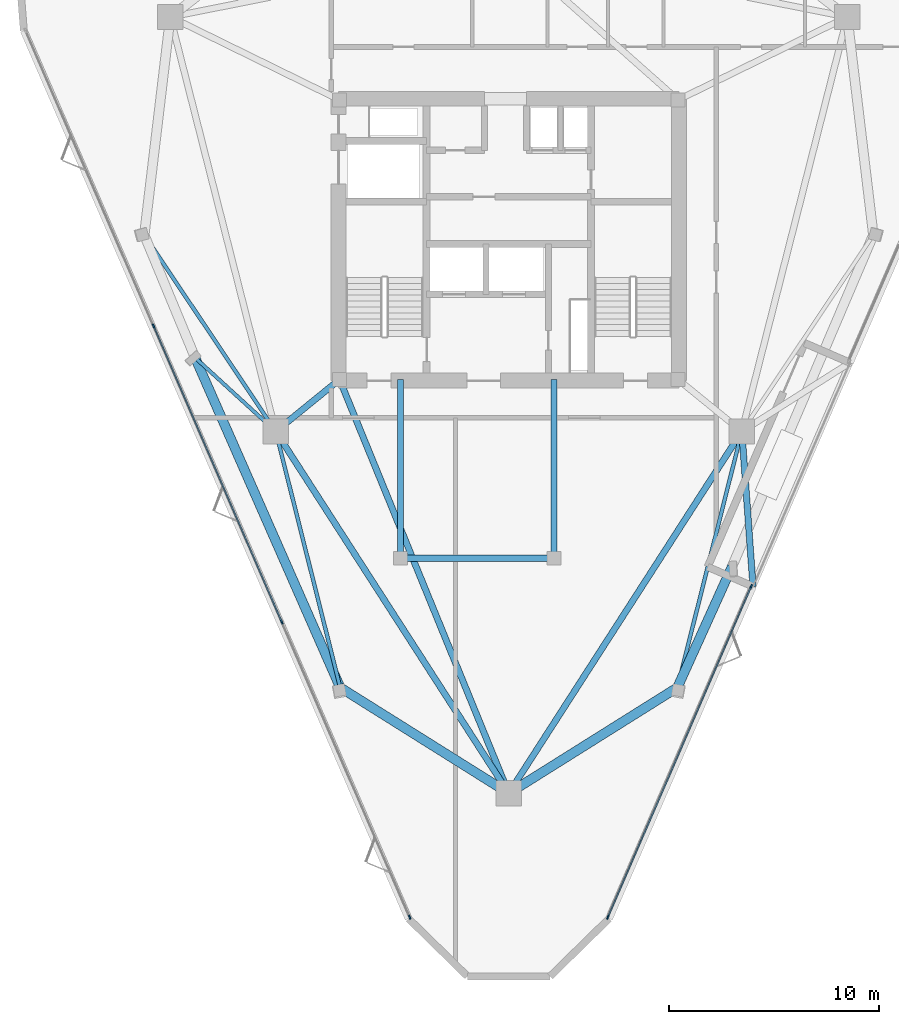
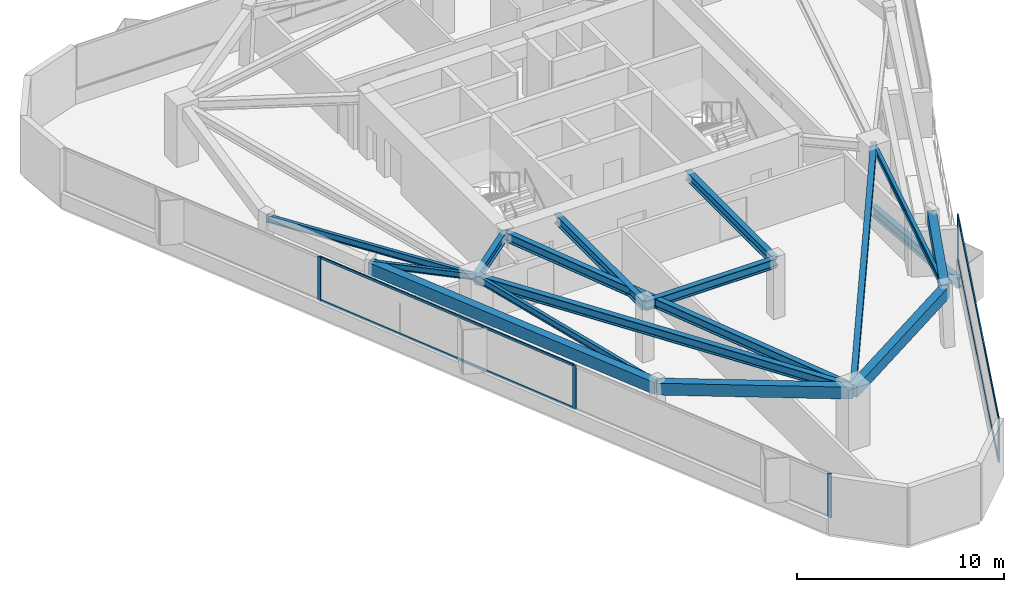
# One storey, part 2 of 10: 16 beams, 9 members, 2 elements without a shape of their own.
"""IFC4 building model written with IfcOpenShell, lengths in metres."""

import ifcopenshell
import ifcopenshell.guid

model = None  # the IFC model being written
_history = None  # IfcOwnerHistory: only IFC2X3 demands one
_inside = {}  # id of a spatial element -> (the spatial element, [elements in it])
_under = {}  # id of a project, library or spatial element -> (it, [spatial elements below it])
_declared = {}  # id of a project -> (the project, [libraries it declares])
_typed = {}  # id of a type object -> (the type object, [elements of that type])
_made_of = {}  # id of a material, layer set ... -> (it, [elements and type objects made of it])


def new_model(schema):
    """Start an empty IFC model of exactly this schema.

    Asked for "IFC4X3", IfcOpenShell would pick the latest addendum, in which some entities
    have other attributes; the version numbers below select the first issue.
    IFC2X3 requires an IfcOwnerHistory on every rooted entity: one is made here for all.
    """
    global model, _history
    if schema == "IFC4X3":
        model = ifcopenshell.file(schema_version=(4, 3, 0, 0))
    else:
        model = ifcopenshell.file(schema=schema)
    _inside.clear()
    _under.clear()
    _declared.clear()
    _typed.clear()
    _made_of.clear()
    _history = None
    if model.schema == "IFC2X3":
        org = make("IfcOrganization", Name="unknown")
        user = make(
            "IfcPersonAndOrganization",
            ThePerson=make("IfcPerson", FamilyName="unknown"),
            TheOrganization=org,
        )
        app = make(
            "IfcApplication",
            ApplicationDeveloper=org,
            Version="unknown",
            ApplicationFullName="unknown",
            ApplicationIdentifier="unknown",
        )
        _history = make(
            "IfcOwnerHistory",
            OwningUser=user,
            OwningApplication=app,
            ChangeAction="ADDED",
            CreationDate=0,
        )
    return model


def make(cls, **values):
    """One entity of the class cls with the attributes given. An attribute that is None is left unset."""
    return model.create_entity(
        cls, **{name: value for name, value in values.items() if value is not None}
    )


def rooted(cls, **values):
    """An entity with a GlobalId (a new one), such as an element, a storey or a relation."""
    return make(cls, GlobalId=ifcopenshell.guid.new(), OwnerHistory=_history, **values)


def si_unit(unit_type, name, prefix=None):
    """IfcSIUnit, for example si_unit("LENGTHUNIT", "METRE", prefix="MILLI")."""
    return make("IfcSIUnit", UnitType=unit_type, Prefix=prefix, Name=name)


def assignment(units):
    """IfcUnitAssignment: the units of a project."""
    return None if units is None else make("IfcUnitAssignment", Units=units)


def point(xyz):
    """IfcCartesianPoint."""
    return None if xyz is None else make("IfcCartesianPoint", Coordinates=xyz)


def direction(xyz):
    """IfcDirection."""
    return None if xyz is None else make("IfcDirection", DirectionRatios=xyz)


def frame(location, z_axis=None, x_axis=None):
    """IfcAxis2Placement3D, a coordinate frame: its origin and axes. An axis left out is left unset."""
    return make(
        "IfcAxis2Placement3D",
        Location=point(location),
        Axis=direction(z_axis),
        RefDirection=direction(x_axis),
    )


def frame_2d(location, x_axis=None):
    """IfcAxis2Placement2D, a coordinate frame in the plane: its origin and x axis."""
    return make(
        "IfcAxis2Placement2D", Location=point(location), RefDirection=direction(x_axis)
    )


def origin():
    """The frame at (0, 0, 0) with its axes left unset."""
    return frame((0.0, 0.0, 0.0))


def origin_2d():
    """The frame at (0, 0) in the plane with its x axis left unset."""
    return frame_2d((0.0, 0.0))


def place(relative_to, where):
    """IfcLocalPlacement: puts the frame where relative to a parent placement (None: the world)."""
    return make(
        "IfcLocalPlacement", PlacementRelTo=relative_to, RelativePlacement=where
    )


def context(
    kind, dimensions, precision=None, world=None, true_north=None, identifier=None
):
    """IfcGeometricRepresentationContext, for example the 3D "Model" context."""
    return make(
        "IfcGeometricRepresentationContext",
        ContextIdentifier=identifier,
        ContextType=kind,
        CoordinateSpaceDimension=dimensions,
        Precision=precision,
        WorldCoordinateSystem=world,
        TrueNorth=true_north,
    )


def subcontext(parent, identifier, kind, view, scale=None):
    """IfcGeometricRepresentationSubContext, for example "Body" below "Model"."""
    return make(
        "IfcGeometricRepresentationSubContext",
        ContextIdentifier=identifier,
        ContextType=kind,
        ParentContext=parent,
        TargetScale=scale,
        TargetView=view,
    )


def project(units=None, contexts=None):
    """IfcProject with its units and contexts."""
    return rooted(
        "IfcProject",
        Name="project",
        RepresentationContexts=contexts,
        UnitsInContext=assignment(units),
    )


def spatial(cls, under=None, at=None, **own):
    """A site, building, storey or space (cls), placed at a placement, below another one or the project."""
    s = rooted(cls, ObjectPlacement=at, **own)
    if under is not None:
        _under.setdefault(under.id(), (under, []))[1].append(s)
    return s


def profile(cls, at=None, kind="AREA", **sizes):
    """A parametric profile (cls). Its sizes go by their IFC names, for example OverallWidth=200.0."""
    return make(cls, ProfileType=kind, Position=at, **sizes)


def rectangle(**sizes):
    """IfcRectangleProfileDef."""
    return profile("IfcRectangleProfileDef", **sizes)


def i_section(**sizes):
    """IfcIShapeProfileDef."""
    return profile("IfcIShapeProfileDef", **sizes)


def extrude(swept, where, along, depth):
    """IfcExtrudedAreaSolid: the profile swept, set in the frame where, extruded along a direction by depth."""
    return make(
        "IfcExtrudedAreaSolid",
        SweptArea=swept,
        Position=where,
        ExtrudedDirection=direction(along),
        Depth=depth,
    )


def shape(context_of_items, identifier, shape_type, items):
    """IfcShapeRepresentation: the items that make up one representation, for example the "Body"."""
    return make(
        "IfcShapeRepresentation",
        ContextOfItems=context_of_items,
        RepresentationIdentifier=identifier,
        RepresentationType=shape_type,
        Items=items,
    )


def material(Name=None, Category=None):
    """IfcMaterial."""
    return make("IfcMaterial", Name=Name, Category=Category)


def layer(
    of_material, thickness, ventilated=None, Name=None, Category=None, Priority=None
):
    """IfcMaterialLayer: one layer of a wall or slab, of a material (None: an air gap)."""
    return make(
        "IfcMaterialLayer",
        Material=of_material,
        LayerThickness=thickness,
        IsVentilated=ventilated,
        Name=Name,
        Category=Category,
        Priority=Priority,
    )


def layer_set(layers, Name=None):
    """IfcMaterialLayerSet."""
    return make("IfcMaterialLayerSet", MaterialLayers=layers, LayerSetName=Name)


def material_profile(
    of_material, cross_section, Name=None, Category=None, Priority=None
):
    """IfcMaterialProfile: a cross section and its material."""
    return make(
        "IfcMaterialProfile",
        Name=Name,
        Material=of_material,
        Profile=cross_section,
        Priority=Priority,
        Category=Category,
    )


def profile_set(profiles, Name=None, composite=None):
    """IfcMaterialProfileSet."""
    return make(
        "IfcMaterialProfileSet",
        Name=Name,
        MaterialProfiles=profiles,
        CompositeProfile=composite,
    )


def made_of(thing, what):
    """Note that an element or type object is made of a material, layer set ...; save() writes the relation."""
    if what is not None:
        _made_of.setdefault(what.id(), (what, []))[1].append(thing)
    return thing


def type_object(cls, material=None, **own):
    """A type object (cls), such as IfcWallType, which elements share."""
    return made_of(rooted(cls, **own), material)


def element(
    cls,
    number,
    at=None,
    inside=None,
    cuts=None,
    type_object=None,
    material=None,
    context=None,
    identifier="Body",
    shape_type=None,
    held_by="IfcProductDefinitionShape",
    body=None,
    shapes=None,
    **own,
):
    """One element of the class cls, such as IfcWall. Its Tag is "e" and its number.

    at: its placement. inside: the storey or other place that contains it. cuts: it is an
    opening in that element (IfcRelVoidsElement). A single representation is given by context,
    identifier, shape_type and body (its items); several are given by shapes. held_by: the class
    of the entity that holds the representations. save() writes the other relations.
    """
    e = rooted(cls, Tag="e%d" % number, ObjectPlacement=at, **own)
    if body is not None:
        shapes = [shape(context, identifier, shape_type, body)]
    if shapes is not None:
        e.Representation = make(held_by, Representations=shapes)
    if inside is not None:
        _inside.setdefault(inside.id(), (inside, []))[1].append(e)
    if cuts is not None:
        rooted(
            "IfcRelVoidsElement", RelatingBuildingElement=cuts, RelatedOpeningElement=e
        )
    if type_object is not None:
        _typed.setdefault(type_object.id(), (type_object, []))[1].append(e)
    return made_of(e, material)


def aggregate(whole, parts):
    """IfcRelAggregates: a whole, such as a stair, and the parts it consists of."""
    return rooted("IfcRelAggregates", RelatingObject=whole, RelatedObjects=parts)


def save(model, path):
    """Write the relations noted so far, then the file.

    IfcRelAggregates (storeys below a building ...), IfcRelContainedInSpatialStructure (elements
    in a storey), IfcRelDefinesByType, IfcRelAssociatesMaterial and IfcRelDeclares: one each for
    every whole, place, type object, material and project.
    """
    for whole, parts in _under.values():
        aggregate(whole, parts)
    for where, things in _inside.values():
        rooted(
            "IfcRelContainedInSpatialStructure",
            RelatedElements=things,
            RelatingStructure=where,
        )
    for kind, things in _typed.values():
        rooted("IfcRelDefinesByType", RelatedObjects=things, RelatingType=kind)
    for what, things in _made_of.values():
        rooted("IfcRelAssociatesMaterial", RelatedObjects=things, RelatingMaterial=what)
    for by, libraries in _declared.values():
        rooted("IfcRelDeclares", RelatingContext=by, RelatedDefinitions=libraries)
    model.write(path)


model = new_model("IFC4")

# Units and contexts
model_context = context("Model", 3, precision=1e-05, world=origin(), true_north=direction((0.0, 1.0)))
body_context = subcontext(model_context, "Body", "Model", "MODEL_VIEW")
ifc_project = project(units=[si_unit("LENGTHUNIT", "METRE"), si_unit("AREAUNIT", "SQUARE_METRE"), si_unit("VOLUMEUNIT", "CUBIC_METRE"), si_unit("PLANEANGLEUNIT", "RADIAN"), si_unit("MASSUNIT", "GRAM", prefix="KILO")], contexts=[model_context])

# Site, building, storey
site_placement = place(None, origin())
site = spatial("IfcSite", under=ifc_project, at=site_placement, CompositionType="ELEMENT")
building_placement = place(site_placement, origin())
building = spatial("IfcBuilding", under=site, at=building_placement, Name="Talyreon Biosciences Tower", CompositionType="ELEMENT")
storey_placement = place(building_placement, frame((0.0, 0.0, 253.5)))
storey = spatial("IfcBuildingStorey", under=building, at=storey_placement, Name="L67", CompositionType="ELEMENT", Elevation=253.5)

# Curtain wall, members
ifc_material_1 = material(Name="Thermally broken aluminium and low-E glazing", Category="aluminium")
ifc_layer = layer(ifc_material_1, 0.205078125)
ifc_layer_set = layer_set([ifc_layer], Name="Thermally broken aluminium and low-E glazing")
curtain_wall_type = type_object("IfcCurtainWallType", Name="CurtainWall_SkyGardenLoggia", PredefinedType="NOTDEFINED", material=ifc_layer_set)
curtain_wall_1_placement = place(storey_placement, origin())
curtain_wall_1 = element("IfcCurtainWall", 1, at=curtain_wall_1_placement, inside=storey, type_object=curtain_wall_type, Name="L67 Unitised Curtain Wall FCW-L67-11", PredefinedType="NOTDEFINED")
ifc_material_2 = material(Name="Anodised thermally broken aluminium", Category="aluminium")
ifc_material_profile_1 = material_profile(ifc_material_2, rectangle(XDim=0.074951171875, YDim=0.2099609375, at=origin_2d()), Name="ALUM MULLION 75x210")
ifc_profile_set_1 = profile_set([ifc_material_profile_1], Name="Anodised thermally broken aluminium")
member_type_1 = type_object("IfcMemberType", Name="CWMullion_75x210", PredefinedType="MULLION", material=ifc_profile_set_1)
member_1_placement = place(storey_placement, frame((77.529296875, 51.501708984375, 0.81005859375), z_axis=(0.0, 0.0, 1.0), x_axis=(0.917586622181, -0.397535898748, 0.0)))
member_1 = element("IfcMember", 2, at=member_1_placement, type_object=member_type_1, Name="CW7 mullion 1", PredefinedType="MULLION", context=body_context, shape_type="SweptSolid", body=[
    extrude(rectangle(XDim=0.074951171875, YDim=0.2099609375, at=origin_2d()), origin(), (0.0, 0.0, 1.0), 2.58984375),
])
member_2_placement = place(storey_placement, frame((70.712890625, 35.768310546875, 0.81005859375), z_axis=(0.0, 0.0, 1.0), x_axis=(0.917586622181, -0.397535898748, 0.0)))
member_2 = element("IfcMember", 3, at=member_2_placement, type_object=member_type_1, Name="CW7 mullion 2", PredefinedType="MULLION", context=body_context, shape_type="SweptSolid", body=[
    extrude(rectangle(XDim=0.074951171875, YDim=0.2099609375, at=origin_2d()), origin(), (0.0, 0.0, 1.0), 2.58984375),
])

curtain_wall_2_placement = place(storey_placement, origin())
curtain_wall_2 = element("IfcCurtainWall", 4, at=curtain_wall_2_placement, inside=storey, type_object=curtain_wall_type, Name="L67 Unitised Curtain Wall FCW-L67-15", PredefinedType="NOTDEFINED")
member_3_placement = place(storey_placement, frame((61.287109375, 35.768310546875, 0.81005859375), z_axis=(0.0, 0.0, 1.0), x_axis=(-0.91758594353, -0.397537465198, 0.0)))
member_3 = element("IfcMember", 5, at=member_3_placement, type_object=member_type_1, Name="CW7 mullion 1", PredefinedType="MULLION", context=body_context, shape_type="SweptSolid", body=[
    extrude(rectangle(XDim=0.074951171875, YDim=0.2099609375, at=origin_2d()), origin(), (0.0, 0.0, 1.0), 2.58984375),
])
member_4_placement = place(storey_placement, frame((55.20068359375, 49.816650390625, 0.81005859375), z_axis=(0.0, 0.0, 1.0), x_axis=(-0.91758594353, -0.397537465198, 0.0)))
member_4 = element("IfcMember", 6, at=member_4_placement, type_object=member_type_1, Name="CW7 mullion 2", PredefinedType="MULLION", context=body_context, shape_type="SweptSolid", body=[
    extrude(rectangle(XDim=0.074951171875, YDim=0.2099609375, at=origin_2d()), origin(), (0.0, 0.0, 1.0), 2.58984375),
])
member_5_placement = place(storey_placement, frame((49.099365234375, 63.8994140625, 0.81005859375), z_axis=(0.0, 0.0, 1.0), x_axis=(-0.91758594353, -0.397537465198, 0.0)))
member_5 = element("IfcMember", 7, at=member_5_placement, type_object=member_type_1, Name="CW7 mullion 3", PredefinedType="MULLION", context=body_context, shape_type="SweptSolid", body=[
    extrude(rectangle(XDim=0.074951171875, YDim=0.2099609375, at=origin_2d()), origin(), (0.0, 0.0, 1.0), 2.58984375),
])

# Member
ifc_material_profile_2 = material_profile(ifc_material_2, rectangle(XDim=0.06494140625, YDim=0.139892578125, at=origin_2d()), Name="ALUM TRANSOM 65x140")
ifc_profile_set_2 = profile_set([ifc_material_profile_2], Name="Anodised thermally broken aluminium")
member_type_2 = type_object("IfcMemberType", Name="CWTransom_65x140", PredefinedType="USERDEFINED", material=ifc_profile_set_2)
member_6_placement = place(storey_placement, frame((77.514404296875, 51.46728515625, 0.842529296875), z_axis=(-0.397540814257, -0.917584492567, 0.0), x_axis=(0.917584492567, -0.397540814257, 0.0)))
member_6 = element("IfcMember", 8, at=member_6_placement, type_object=member_type_2, Name="CW7 transom 1.1", ObjectType="TRANSOM", PredefinedType="USERDEFINED", context=body_context, shape_type="SweptSolid", body=[
    extrude(rectangle(XDim=0.06494140625, YDim=0.139892578125, at=origin_2d()), origin(), (0.0, 0.0, 1.0), 17.071533203125),
])

member_7_placement = place(storey_placement, frame((77.514404296875, 51.46728515625, 3.367431640625), z_axis=(-0.397540814257, -0.917584492567, 0.0), x_axis=(0.917584492567, -0.397540814257, 0.0)))
member_7 = element("IfcMember", 9, at=member_7_placement, type_object=member_type_2, Name="CW7 transom 1.2", ObjectType="TRANSOM", PredefinedType="USERDEFINED", context=body_context, shape_type="SweptSolid", body=[
    extrude(rectangle(XDim=0.06494140625, YDim=0.139892578125, at=origin_2d()), origin(), (0.0, 0.0, 1.0), 17.071533203125),
])

aggregate(curtain_wall_1, [member_1, member_2, member_6, member_7])

member_8_placement = place(storey_placement, frame((55.185791015625, 49.85107421875, 0.842529296875), z_axis=(-0.397537454232, 0.917585948281, 0.0), x_axis=(-0.917585948281, -0.397537454232, 0.0)))
member_8 = element("IfcMember", 10, at=member_8_placement, type_object=member_type_2, Name="CW7 transom 2.1", ObjectType="TRANSOM", PredefinedType="USERDEFINED", context=body_context, shape_type="SweptSolid", body=[
    extrude(rectangle(XDim=0.06494140625, YDim=0.139892578125, at=origin_2d()), origin(), (0.0, 0.0, 1.0), 15.27294921875),
])

member_9_placement = place(storey_placement, frame((55.185791015625, 49.85107421875, 3.367431640625), z_axis=(-0.397537454232, 0.917585948281, 0.0), x_axis=(-0.917585948281, -0.397537454232, 0.0)))
member_9 = element("IfcMember", 11, at=member_9_placement, type_object=member_type_2, Name="CW7 transom 2.2", ObjectType="TRANSOM", PredefinedType="USERDEFINED", context=body_context, shape_type="SweptSolid", body=[
    extrude(rectangle(XDim=0.06494140625, YDim=0.139892578125, at=origin_2d()), origin(), (0.0, 0.0, 1.0), 15.27294921875),
])

aggregate(curtain_wall_2, [member_3, member_4, member_5, member_8, member_9])

# Beams
ifc_material_3 = material(Name="Precast concrete C45/55", Category="concrete")
ifc_material_profile_3 = material_profile(ifc_material_3, rectangle(XDim=0.449951171875, YDim=0.699951171875, at=origin_2d()), Name="RCB 450x700")
ifc_profile_set_3 = profile_set([ifc_material_profile_3], Name="Precast concrete C45/55")
beam_type_1 = type_object("IfcBeamType", Name="ExpressedSpandrel_450x700", PredefinedType="SPANDREL", material=ifc_profile_set_3)
beam_1_placement = place(storey_placement, frame((66.0, 41.6669921875, 3.050048828125), z_axis=(0.847148124295, 0.531356806208, 0.0), x_axis=(-0.531356806208, 0.847148124295, 0.0)))
element("IfcBeam", 12, at=beam_1_placement, inside=storey, type_object=beam_type_1, Name="L67 Expressed Horizontal Concrete Spandrel 01", PredefinedType="SPANDREL", context=body_context, shape_type="SweptSolid", body=[
    extrude(rectangle(XDim=0.449951171875, YDim=0.699951171875, at=origin_2d()), origin(), (0.0, 0.0, 1.0), 9.4658203125),
])
beam_2_placement = place(storey_placement, frame((74.01904296875, 46.69677734375, 3.050048828125), z_axis=(0.4118103684, 0.91126956521, 0.0), x_axis=(-0.91126956521, 0.4118103684, 0.0)))
element("IfcBeam", 13, at=beam_2_placement, inside=storey, type_object=beam_type_1, Name="L67 Expressed Horizontal Concrete Spandrel 02", PredefinedType="SPANDREL", context=body_context, shape_type="SweptSolid", body=[
    extrude(rectangle(XDim=0.449951171875, YDim=0.699951171875, at=origin_2d()), origin(), (0.0, 0.0, 1.0), 6.3173828125),
])
beam_3_placement = place(storey_placement, frame((51.076904296875, 62.390625, 3.050048828125), z_axis=(0.402678009735, -0.915341696022, 0.0), x_axis=(0.915341696022, 0.402678009735, 0.0)))
element("IfcBeam", 14, at=beam_3_placement, inside=storey, type_object=beam_type_1, Name="L67 Expressed Horizontal Concrete Spandrel 11", PredefinedType="SPANDREL", context=body_context, shape_type="SweptSolid", body=[
    extrude(rectangle(XDim=0.449951171875, YDim=0.699951171875, at=origin_2d()), origin(), (0.0, 0.0, 1.0), 17.145263671875),
])
beam_4_placement = place(storey_placement, frame((57.98095703125, 46.69677734375, 3.050048828125), z_axis=(0.847148124295, -0.531356806208, 0.0), x_axis=(0.531356806208, 0.847148124295, 0.0)))
element("IfcBeam", 15, at=beam_4_placement, inside=storey, type_object=beam_type_1, Name="L67 Expressed Horizontal Concrete Spandrel 12", PredefinedType="SPANDREL", context=body_context, shape_type="SweptSolid", body=[
    extrude(rectangle(XDim=0.449951171875, YDim=0.699951171875, at=origin_2d()), origin(), (0.0, 0.0, 1.0), 9.4658203125),
])
ifc_material_4 = material(Name="Steel SM355", Category="steel")
ifc_material_profile_4 = material_profile(ifc_material_4, i_section(OverallWidth=0.300048828125, OverallDepth=0.550048828125, WebThickness=0.014892578125, FlangeThickness=0.029052734375, FilletRadius=0.027099609375, at=origin_2d()), Name="HE550B")
ifc_profile_set_4 = profile_set([ifc_material_profile_4], Name="Steel SM355")
beam_type_2 = type_object("IfcBeamType", Name="SteelBeam_HE550B", PredefinedType="BEAM", material=ifc_profile_set_4)
for number, where, z_axis, x_axis, name in (
    (16, (66.0, 41.6669921875, 3.125), (0.541463723609, 0.840724114092, 0.0), (-0.840724114092, 0.541463723609, 0.0), "L67 Mega-Ring Girder 1"),
    (17, (54.913818359375, 58.88037109375, 3.125), (0.541463723609, -0.840724114092, 0.0), (0.840724114092, 0.541463723609, 0.0), "L67 Mega-Ring Girder 6"),
):
    element("IfcBeam", number, at=place(storey_placement, frame(where, z_axis=z_axis, x_axis=x_axis)), inside=storey, type_object=beam_type_2, Name=name, PredefinedType="BEAM", context=body_context, shape_type="SweptSolid", body=[
        extrude(i_section(OverallWidth=0.300048828125, OverallDepth=0.550048828125, WebThickness=0.014892578125, FlangeThickness=0.029052734375, FilletRadius=0.027099609375, at=origin_2d()), origin(), (0.0, 0.0, 1.0), 20.474365234375),
    ])
beam_5_placement = place(storey_placement, frame((57.949951171875, 61.35009765625, 3.125), z_axis=(0.378547014545, -0.925582064314, 0.0), x_axis=(0.925582064314, 0.378547014545, 0.0)))
element("IfcBeam", 18, at=beam_5_placement, inside=storey, type_object=beam_type_2, Name="L67 Radial Primary Girder 1", PredefinedType="BEAM", context=body_context, shape_type="SweptSolid", body=[
    extrude(i_section(OverallWidth=0.300048828125, OverallDepth=0.550048828125, WebThickness=0.014892578125, FlangeThickness=0.029052734375, FilletRadius=0.027099609375, at=origin_2d()), origin(), (0.0, 0.0, 1.0), 21.265625),
])
beam_6_placement = place(storey_placement, frame((57.949951171875, 61.35009765625, 3.125), z_axis=(-0.775755154013, -0.631034025249, 0.0), x_axis=(0.631034025249, -0.775755154013, 0.0)))
element("IfcBeam", 19, at=beam_6_placement, inside=storey, type_object=beam_type_2, Name="L67 Radial Primary Girder 6", PredefinedType="BEAM", context=body_context, shape_type="SweptSolid", body=[
    extrude(i_section(OverallWidth=0.300048828125, OverallDepth=0.550048828125, WebThickness=0.014892578125, FlangeThickness=0.029052734375, FilletRadius=0.027099609375, at=origin_2d()), origin(), (0.0, 0.0, 1.0), 3.913818359375),
])
beam_7_placement = place(storey_placement, frame((60.85009765625, 52.840087890625, 3.125), z_axis=(1.0, 0.0, 0.0), x_axis=(0.0, 1.0, 0.0)))
element("IfcBeam", 20, at=beam_7_placement, inside=storey, type_object=beam_type_2, Name="L67 Crown Shaft Spine Girder S", PredefinedType="BEAM", context=body_context, shape_type="SweptSolid", body=[
    extrude(i_section(OverallWidth=0.300048828125, OverallDepth=0.550048828125, WebThickness=0.014892578125, FlangeThickness=0.029052734375, FilletRadius=0.027099609375, at=origin_2d()), origin(), (0.0, 0.0, 1.0), 7.2998046875),
])
for number, where, z_axis, x_axis, name in (
    (21, (60.85009765625, 52.840087890625, 3.125), (0.0, 1.0, 0.0), (-1.0, 0.0, 0.0), "L67 Crown Shaft Tie Girder W"),
    (22, (68.14990234375, 52.840087890625, 3.125), (0.0, 1.0, 0.0), (-1.0, 0.0, 0.0), "L67 Crown Shaft Tie Girder E"),
):
    element("IfcBeam", number, at=place(storey_placement, frame(where, z_axis=z_axis, x_axis=x_axis)), inside=storey, type_object=beam_type_2, Name=name, PredefinedType="BEAM", context=body_context, shape_type="SweptSolid", body=[
        extrude(i_section(OverallWidth=0.300048828125, OverallDepth=0.550048828125, WebThickness=0.014892578125, FlangeThickness=0.029052734375, FilletRadius=0.027099609375, at=origin_2d()), origin(), (0.0, 0.0, 1.0), 8.510009765625),
    ])
ifc_material_profile_5 = material_profile(ifc_material_4, i_section(OverallWidth=0.300048828125, OverallDepth=0.60009765625, WebThickness=0.015380859375, FlangeThickness=0.030029296875, FilletRadius=0.027099609375, at=origin_2d()), Name="HE600B")
ifc_profile_set_5 = profile_set([ifc_material_profile_5], Name="Steel SM355")
beam_type_3 = type_object("IfcBeamType", Name="SteelBeam_HE600B", PredefinedType="BEAM", material=ifc_profile_set_5)
beam_8_placement = place(storey_placement, frame((77.086181640625, 58.88037109375, -0.6298828125), z_axis=(0.071871114798, -0.997413927544, 0.0), x_axis=(0.997413927544, 0.071871114798, 0.0)))
element("IfcBeam", 23, at=beam_8_placement, inside=storey, type_object=beam_type_3, Name="L67 Sky-Garden Terrace Edge Outrigger 1", PredefinedType="BEAM", context=body_context, shape_type="SweptSolid", body=[
    extrude(i_section(OverallWidth=0.300048828125, OverallDepth=0.60009765625, WebThickness=0.015380859375, FlangeThickness=0.030029296875, FilletRadius=0.027099609375, at=origin_2d()), origin(), (0.0, 0.0, 1.0), 7.39501953125),
])
ifc_material_profile_6 = material_profile(ifc_material_4, i_section(OverallWidth=0.169921875, OverallDepth=0.360107421875, WebThickness=0.008056640625, FlangeThickness=0.0126953125, FilletRadius=0.01806640625, at=origin_2d()), Name="IPE360")
ifc_profile_set_6 = profile_set([ifc_material_profile_6], Name="Steel SM355")
beam_type_4 = type_object("IfcBeamType", Name="SteelJoist_IPE360", PredefinedType="JOIST", material=ifc_profile_set_6)
beam_9_placement = place(storey_placement, frame((54.913818359375, 58.88037109375, 3.219970703125), z_axis=(-0.737816356168, 0.675001499681, 0.0), x_axis=(-0.675001499681, -0.737816356168, 0.0)))
element("IfcBeam", 24, at=beam_9_placement, inside=storey, type_object=beam_type_4, Name="L67 Radial Composite Floor Joist PL-SW", PredefinedType="JOIST", context=body_context, shape_type="SweptSolid", body=[
    extrude(i_section(OverallWidth=0.169921875, OverallDepth=0.360107421875, WebThickness=0.008056640625, FlangeThickness=0.0126953125, FilletRadius=0.01806640625, at=origin_2d()), origin(), (0.0, 0.0, 1.0), 5.200439453125),
])
ifc_material_profile_7 = material_profile(ifc_material_4, i_section(OverallWidth=0.179931640625, OverallDepth=0.39990234375, WebThickness=0.008544921875, FlangeThickness=0.013427734375, FilletRadius=0.02099609375, at=origin_2d()), Name="IPE400")
ifc_profile_set_7 = profile_set([ifc_material_profile_7], Name="Steel SM355")
beam_type_5 = type_object("IfcBeamType", Name="SteelJoist_IPE400", PredefinedType="JOIST", material=ifc_profile_set_7)
beam_10_placement = place(storey_placement, frame((77.086181640625, 58.88037109375, 3.199951171875), z_axis=(-0.244126451277, -0.969743407189, 0.0), x_axis=(0.969743407189, -0.244126451277, 0.0)))
element("IfcBeam", 25, at=beam_10_placement, inside=storey, type_object=beam_type_5, Name="L67 Radial Composite Floor Joist PC-SE1", PredefinedType="JOIST", context=body_context, shape_type="SweptSolid", body=[
    extrude(i_section(OverallWidth=0.179931640625, OverallDepth=0.39990234375, WebThickness=0.008544921875, FlangeThickness=0.013427734375, FilletRadius=0.02099609375, at=origin_2d()), origin(), (0.0, 0.0, 1.0), 12.563720703125),
])
beam_11_placement = place(storey_placement, frame((54.913818359375, 58.88037109375, 3.199951171875), z_axis=(-0.556162132574, 0.831073812781, 0.0), x_axis=(-0.831073812781, -0.556162132574, 0.0)))
element("IfcBeam", 26, at=beam_11_placement, inside=storey, type_object=beam_type_5, Name="L67 Radial Composite Floor Joist PC-SW1", PredefinedType="JOIST", context=body_context, shape_type="SweptSolid", body=[
    extrude(i_section(OverallWidth=0.179931640625, OverallDepth=0.39990234375, WebThickness=0.008544921875, FlangeThickness=0.013427734375, FilletRadius=0.02099609375, at=origin_2d()), origin(), (0.0, 0.0, 1.0), 11.24658203125),
])
beam_12_placement = place(storey_placement, frame((54.913818359375, 58.88037109375, 3.199951171875), z_axis=(0.244126451277, -0.969743407189, 0.0), x_axis=(0.969743407189, 0.244126451277, 0.0)))
element("IfcBeam", 27, at=beam_12_placement, inside=storey, type_object=beam_type_5, Name="L67 Radial Composite Floor Joist PC-SW2", PredefinedType="JOIST", context=body_context, shape_type="SweptSolid", body=[
    extrude(i_section(OverallWidth=0.179931640625, OverallDepth=0.39990234375, WebThickness=0.008544921875, FlangeThickness=0.013427734375, FilletRadius=0.02099609375, at=origin_2d()), origin(), (0.0, 0.0, 1.0), 12.563720703125),
])

save(model, "model.ifc")
